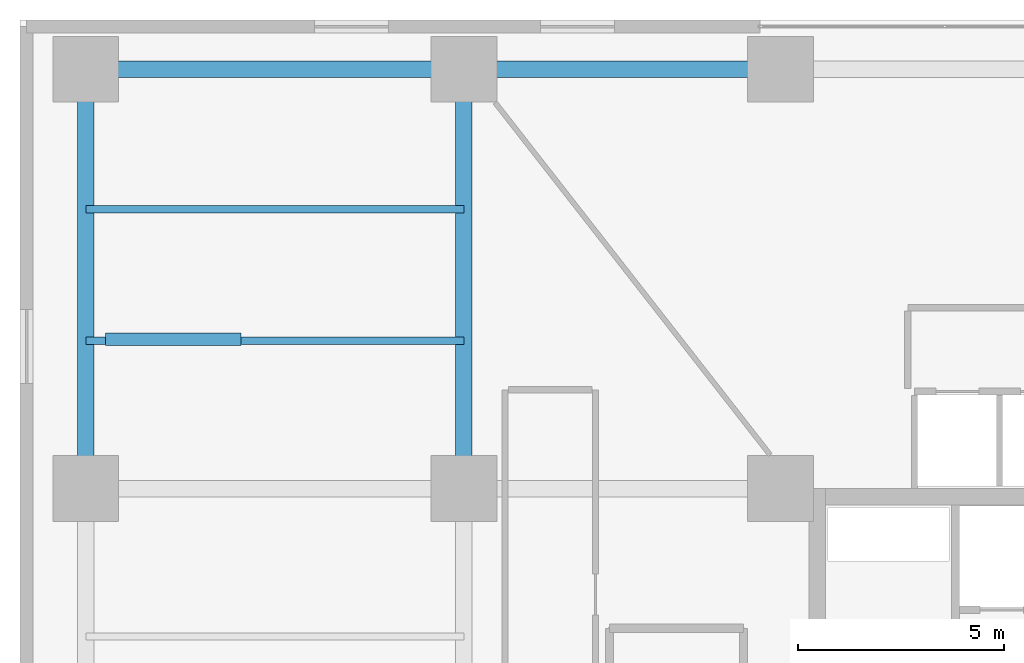
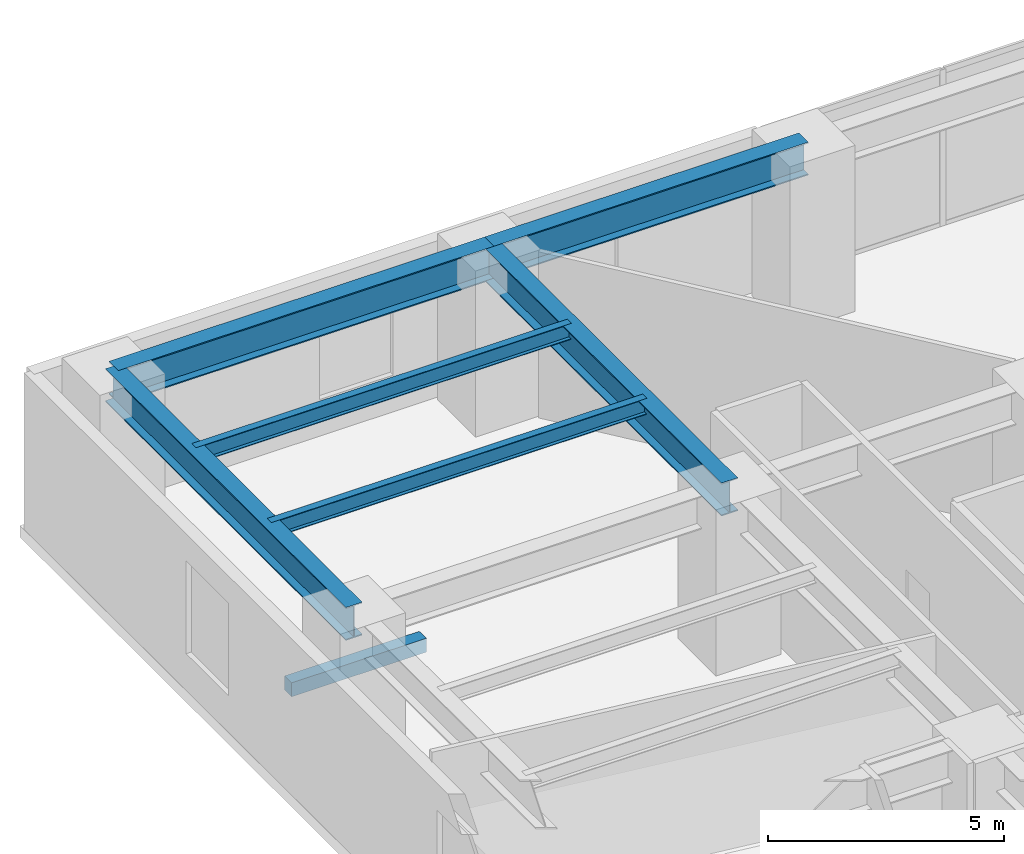
# One storey, part 10 of 25: 7 beams.
"""IFC4 building model written with IfcOpenShell, lengths in metres."""

from ifc_helpers import new_model, si_unit, direction, frame, origin, origin_2d, place, context, subcontext, project, spatial, rectangle, i_section, extrude, material, material_profile, profile_set, type_object, element, save


model = new_model("IFC4")

# Units and contexts
model_context = context("Model", 3, precision=1e-05, world=origin(), true_north=direction((0.0, 1.0)))
body_context = subcontext(model_context, "Body", "Model", "MODEL_VIEW")
ifc_project = project(units=[si_unit("LENGTHUNIT", "METRE"), si_unit("AREAUNIT", "SQUARE_METRE"), si_unit("VOLUMEUNIT", "CUBIC_METRE"), si_unit("PLANEANGLEUNIT", "RADIAN"), si_unit("MASSUNIT", "GRAM", prefix="KILO")], contexts=[model_context])

# Site, building, storey
site_placement = place(None, origin())
site = spatial("IfcSite", under=ifc_project, at=site_placement, CompositionType="ELEMENT")
building_placement = place(site_placement, origin())
building = spatial("IfcBuilding", under=site, at=building_placement, Name="Talar Marvaseh", CompositionType="ELEMENT")
storey_placement = place(building_placement, frame((0.0, 0.0, 5.199951171875)))
storey = spatial("IfcBuildingStorey", under=building, at=storey_placement, Name="L01", CompositionType="ELEMENT", Elevation=5.199951171875)

# Beams
ifc_material_1 = material(Name="Steel S355", Category="steel")
ifc_material_profile_1 = material_profile(ifc_material_1, i_section(OverallWidth=0.39990234375, OverallDepth=0.85498046875, WebThickness=0.018310546875, FlangeThickness=0.029296875, at=origin_2d()), Name="W840x299")
ifc_profile_set_1 = profile_set([ifc_material_profile_1], Name="Steel S355")
beam_type_1 = type_object("IfcBeamType", Name="Concourse Primary Girder W840x299", PredefinedType="BEAM", material=ifc_profile_set_1)
beam_1_placement = place(storey_placement, frame((1.60009765625, 46.800048828125, 3.87255859375), z_axis=(1.0, 0.0, 0.0), x_axis=(0.0, 1.0, 0.0)))
element("IfcBeam", 1, at=beam_1_placement, inside=storey, type_object=beam_type_1, Name="L01 Concourse Primary Girder W840x299", PredefinedType="BEAM", context=body_context, shape_type="SweptSolid", body=[
    extrude(i_section(OverallWidth=0.39990234375, OverallDepth=0.85498046875, WebThickness=0.018310546875, FlangeThickness=0.029296875, at=origin_2d()), origin(), (0.0, 0.0, 1.0), 9.199951171875),
])
beam_2_placement = place(storey_placement, frame((10.800048828125, 46.800048828125, 3.87255859375), z_axis=(1.0, 0.0, 0.0), x_axis=(0.0, 1.0, 0.0)))
element("IfcBeam", 2, at=beam_2_placement, inside=storey, type_object=beam_type_1, Name="L01 Concourse Primary Girder W840x299", PredefinedType="BEAM", context=body_context, shape_type="SweptSolid", body=[
    extrude(i_section(OverallWidth=0.39990234375, OverallDepth=0.85498046875, WebThickness=0.018310546875, FlangeThickness=0.029296875, at=origin_2d()), origin(), (0.0, 0.0, 1.0), 7.699951171875),
])
for number, where, z_axis, x_axis, name in (
    (3, (1.60009765625, 36.60009765625, 3.87255859375), (0.0, 1.0, 0.0), (-1.0, 0.0, 0.0), "L01 Concourse Primary Girder W840x299"),
    (4, (10.800048828125, 36.60009765625, 3.87255859375), (0.0, 1.0, 0.0), (-1.0, 0.0, 0.0), "L01 Concourse Primary Girder W840x299"),
):
    element("IfcBeam", number, at=place(storey_placement, frame(where, z_axis=z_axis, x_axis=x_axis)), inside=storey, type_object=beam_type_1, Name=name, PredefinedType="BEAM", context=body_context, shape_type="SweptSolid", body=[
        extrude(i_section(OverallWidth=0.39990234375, OverallDepth=0.85498046875, WebThickness=0.018310546875, FlangeThickness=0.029296875, at=origin_2d()), origin(), (0.0, 0.0, 1.0), 10.199951171875),
    ])
ifc_material_2 = material(Name="Concrete C40/50", Category="concrete")
ifc_material_profile_2 = material_profile(ifc_material_2, rectangle(XDim=0.300048828125, YDim=0.360107421875, at=origin_2d()), Name="RC300x360")
ifc_profile_set_2 = profile_set([ifc_material_profile_2], Name="Concrete C40/50")
beam_type_2 = type_object("IfcBeamType", Name="Concrete Stair Landing Trimmer Beam RC300x360", PredefinedType="SPANDREL", material=ifc_profile_set_2)
beam_3_placement = place(storey_placement, frame((5.3798828125, 40.22998046875, -0.179931640625), z_axis=(-1.0, 0.0, 0.0), x_axis=(0.0, -1.0, 0.0)))
element("IfcBeam", 5, at=beam_3_placement, inside=storey, type_object=beam_type_2, Name="L01 STN-ST1 Stair Nosing Trimmer Beam", PredefinedType="SPANDREL", context=body_context, shape_type="SweptSolid", body=[
    extrude(rectangle(XDim=0.300048828125, YDim=0.360107421875, at=origin_2d()), origin(), (0.0, 0.0, 1.0), 3.2998046875),
])
ifc_material_profile_3 = material_profile(ifc_material_1, i_section(OverallWidth=0.179931640625, OverallDepth=0.4130859375, WebThickness=0.009765625, FlangeThickness=0.01611328125, at=origin_2d()), Name="W410x75")
ifc_profile_set_3 = profile_set([ifc_material_profile_3], Name="Steel S355")
beam_type_3 = type_object("IfcBeamType", Name="Zone 1 Secondary Floor Joist W410x75", PredefinedType="JOIST", material=ifc_profile_set_3)
for number, where, z_axis, x_axis, name in (
    (6, (1.60009765625, 40.199951171875, 4.093505859375), (1.0, 0.0, 0.0), (0.0, 1.0, 0.0), "L01 Zone 1 Secondary Floor Joist W410x75"),
    (7, (1.60009765625, 43.39990234375, 4.093505859375), (1.0, 0.0, 0.0), (0.0, 1.0, 0.0), "L01 Zone 1 Secondary Floor Joist W410x75"),
):
    element("IfcBeam", number, at=place(storey_placement, frame(where, z_axis=z_axis, x_axis=x_axis)), inside=storey, type_object=beam_type_3, Name=name, PredefinedType="JOIST", context=body_context, shape_type="SweptSolid", body=[
        extrude(i_section(OverallWidth=0.179931640625, OverallDepth=0.4130859375, WebThickness=0.009765625, FlangeThickness=0.01611328125, at=origin_2d()), origin(), (0.0, 0.0, 1.0), 9.199951171875),
    ])

save(model, "model.ifc")
